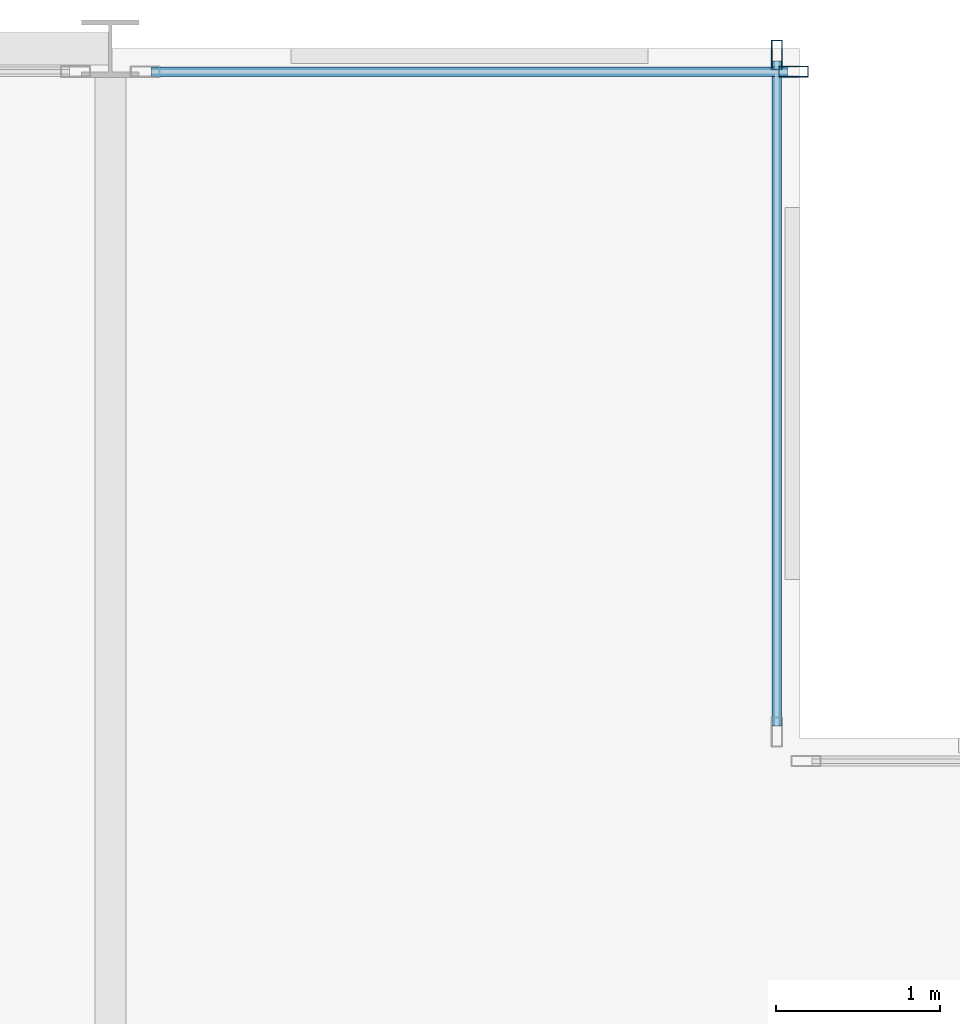
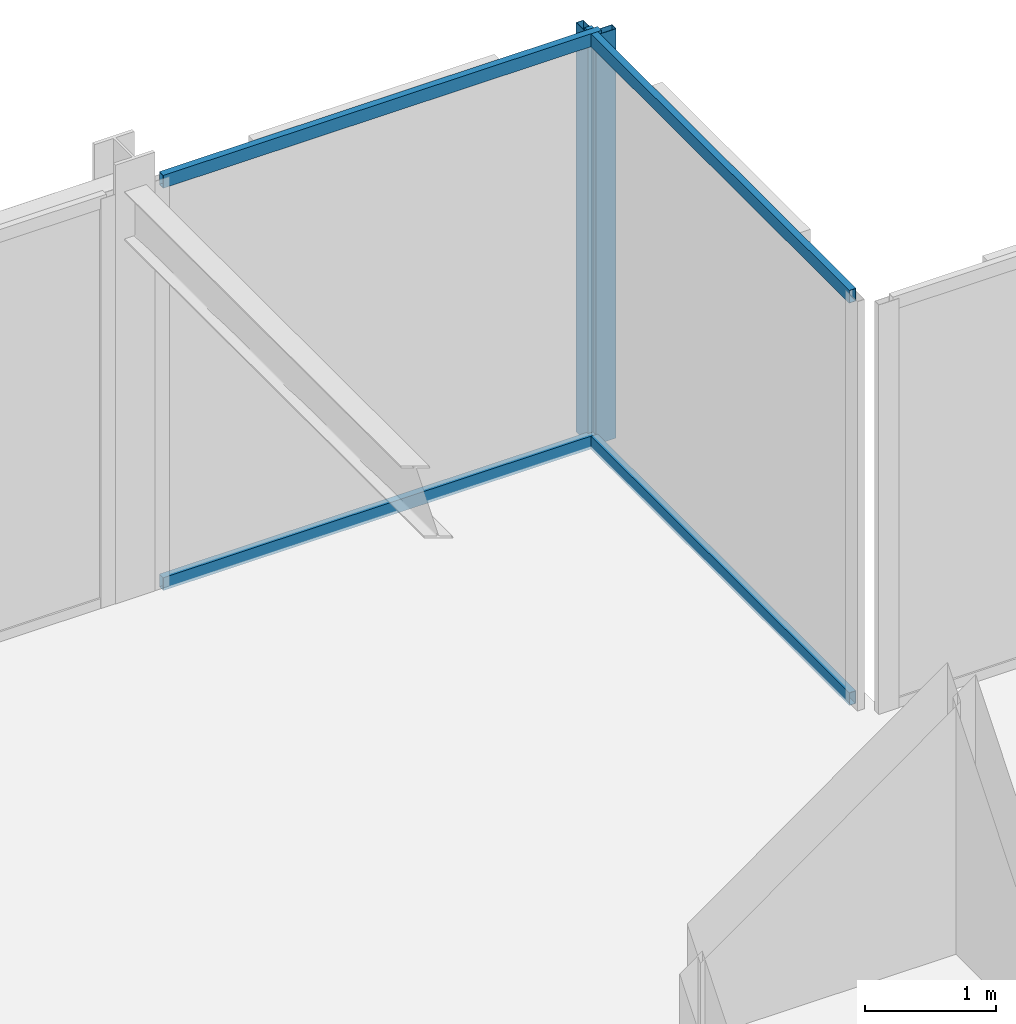
# One storey, part 21 of 29: 6 members, 2 elements without a shape of their own.
"""IFC4 building model written with IfcOpenShell, lengths in metres."""

from ifc_helpers import new_model, si_unit, direction, frame, origin, origin_2d, place, context, subcontext, project, spatial, hollow_rectangle, extrude, material, layer, layer_set, material_profile, profile_set, type_object, element, aggregate, save


model = new_model("IFC4")

# Units and contexts
model_context = context("Model", 3, precision=1e-05, world=origin(), true_north=direction((0.0, 1.0)))
body_context = subcontext(model_context, "Body", "Model", "MODEL_VIEW")
ifc_project = project(units=[si_unit("LENGTHUNIT", "METRE"), si_unit("AREAUNIT", "SQUARE_METRE"), si_unit("VOLUMEUNIT", "CUBIC_METRE"), si_unit("PLANEANGLEUNIT", "RADIAN"), si_unit("MASSUNIT", "GRAM", prefix="KILO")], contexts=[model_context])

# Site, building, storey
site_placement = place(None, origin())
site = spatial("IfcSite", under=ifc_project, at=site_placement, CompositionType="ELEMENT")
building_placement = place(site_placement, origin())
building = spatial("IfcBuilding", under=site, at=building_placement, Name="Nerrivon Quay Data Exchange", CompositionType="ELEMENT")
storey_placement = place(building_placement, frame((0.0, 0.0, 212.39990234375)))
storey = spatial("IfcBuildingStorey", under=building, at=storey_placement, Name="L50", CompositionType="ELEMENT", Elevation=212.39990234375)

# Curtain wall, member
ifc_material = material(Name="Anodised aluminium 6063-T6", Category="aluminium")
ifc_layer = layer(ifc_material, 0.195068359375)
ifc_layer_set = layer_set([ifc_layer], Name="Anodised aluminium 6063-T6")
curtain_wall_type = type_object("IfcCurtainWallType", Name="CW-SYS-06", PredefinedType="NOTDEFINED", material=ifc_layer_set)
curtain_wall_1_placement = place(storey_placement, origin())
curtain_wall_1 = element("IfcCurtainWall", 1, at=curtain_wall_1_placement, inside=storey, type_object=curtain_wall_type, Name="L50 Unitised Curtain Wall 10", PredefinedType="NOTDEFINED")
ifc_material_profile_1 = material_profile(ifc_material, hollow_rectangle(XDim=0.06494140625, YDim=0.179931640625, WallThickness=0.00341796875, at=origin_2d()), Name="ALU-MULL-180x65")
ifc_profile_set_1 = profile_set([ifc_material_profile_1], Name="Anodised aluminium 6063-T6")
member_type_1 = type_object("IfcMemberType", Name="CWM-180x65", PredefinedType="MULLION", material=ifc_profile_set_1)
member_1_placement = place(storey_placement, frame((20.96240234375, 50.260009765625, 0.0), z_axis=(0.0, 0.0, 1.0), x_axis=(0.0, 1.0, 0.0)))
member_1 = element("IfcMember", 2, at=member_1_placement, type_object=member_type_1, Name="CW06 mullion 2", PredefinedType="MULLION", context=body_context, shape_type="SweptSolid", body=[
    extrude(hollow_rectangle(XDim=0.06494140625, YDim=0.179931640625, WallThickness=0.00341796875, at=origin_2d()), origin(), (0.0, 0.0, 1.0), 3.8251953125),
])

curtain_wall_2_placement = place(storey_placement, origin())
curtain_wall_2 = element("IfcCurtainWall", 3, at=curtain_wall_2_placement, inside=storey, type_object=curtain_wall_type, Name="L50 Unitised Curtain Wall 11", PredefinedType="NOTDEFINED")
member_2_placement = place(storey_placement, frame((20.860107421875, 50.362548828125, 0.0), z_axis=(0.0, 0.0, 1.0), x_axis=(1.0, 0.0, 0.0)))
member_2 = element("IfcMember", 4, at=member_2_placement, type_object=member_type_1, Name="CW06 mullion 1", PredefinedType="MULLION", context=body_context, shape_type="SweptSolid", body=[
    extrude(hollow_rectangle(XDim=0.06494140625, YDim=0.179931640625, WallThickness=0.00341796875, at=origin_2d()), origin(), (0.0, 0.0, 1.0), 3.8251953125),
])

# Member
ifc_material_profile_2 = material_profile(ifc_material, hollow_rectangle(XDim=0.06005859375, YDim=0.1201171875, WallThickness=0.003173828125, at=origin_2d()), Name="ALU-TRAN-120x60")
ifc_profile_set_2 = profile_set([ifc_material_profile_2], Name="Anodised aluminium 6063-T6")
member_type_2 = type_object("IfcMemberType", Name="CWT-120x60", PredefinedType="USERDEFINED", material=ifc_profile_set_2)
member_3_placement = place(storey_placement, frame((17.050048828125, 50.260009765625, 0.03271484375), z_axis=(1.0, 0.0, 0.0), x_axis=(0.0, 1.0, 0.0)))
member_3 = element("IfcMember", 5, at=member_3_placement, type_object=member_type_2, Name="CW06 transom 1.1", ObjectType="TRANSOM", PredefinedType="USERDEFINED", context=body_context, shape_type="SweptSolid", body=[
    extrude(hollow_rectangle(XDim=0.06005859375, YDim=0.1201171875, WallThickness=0.003173828125, at=origin_2d()), origin(), (0.0, 0.0, 1.0), 3.875),
])

member_4_placement = place(storey_placement, frame((17.050048828125, 50.260009765625, 3.79248046875), z_axis=(1.0, 0.0, 0.0), x_axis=(0.0, 1.0, 0.0)))
member_4 = element("IfcMember", 6, at=member_4_placement, type_object=member_type_2, Name="CW06 transom 1.2", ObjectType="TRANSOM", PredefinedType="USERDEFINED", context=body_context, shape_type="SweptSolid", body=[
    extrude(hollow_rectangle(XDim=0.06005859375, YDim=0.1201171875, WallThickness=0.003173828125, at=origin_2d()), origin(), (0.0, 0.0, 1.0), 3.875),
])

aggregate(curtain_wall_1, [member_1, member_3, member_4])

member_5_placement = place(storey_placement, frame((20.860107421875, 50.324951171875, 0.03271484375), z_axis=(0.0, -1.0, 0.0), x_axis=(1.0, 0.0, 0.0)))
member_5 = element("IfcMember", 7, at=member_5_placement, type_object=member_type_2, Name="CW06 transom 1.1", ObjectType="TRANSOM", PredefinedType="USERDEFINED", context=body_context, shape_type="SweptSolid", body=[
    extrude(hollow_rectangle(XDim=0.06005859375, YDim=0.1201171875, WallThickness=0.003173828125, at=origin_2d()), origin(), (0.0, 0.0, 1.0), 4.050048828125),
])

member_6_placement = place(storey_placement, frame((20.860107421875, 50.324951171875, 3.79248046875), z_axis=(0.0, -1.0, 0.0), x_axis=(1.0, 0.0, 0.0)))
member_6 = element("IfcMember", 8, at=member_6_placement, type_object=member_type_2, Name="CW06 transom 1.2", ObjectType="TRANSOM", PredefinedType="USERDEFINED", context=body_context, shape_type="SweptSolid", body=[
    extrude(hollow_rectangle(XDim=0.06005859375, YDim=0.1201171875, WallThickness=0.003173828125, at=origin_2d()), origin(), (0.0, 0.0, 1.0), 4.050048828125),
])

aggregate(curtain_wall_2, [member_2, member_5, member_6])

save(model, "model.ifc")
